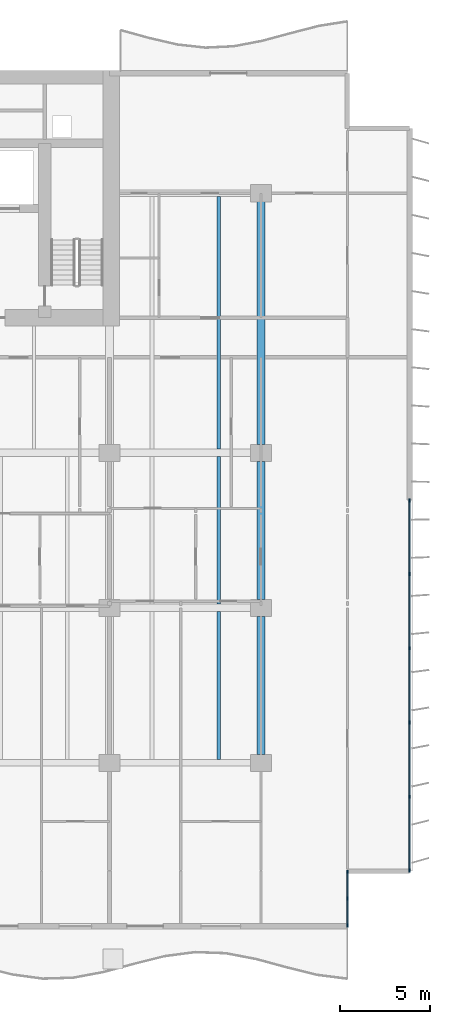
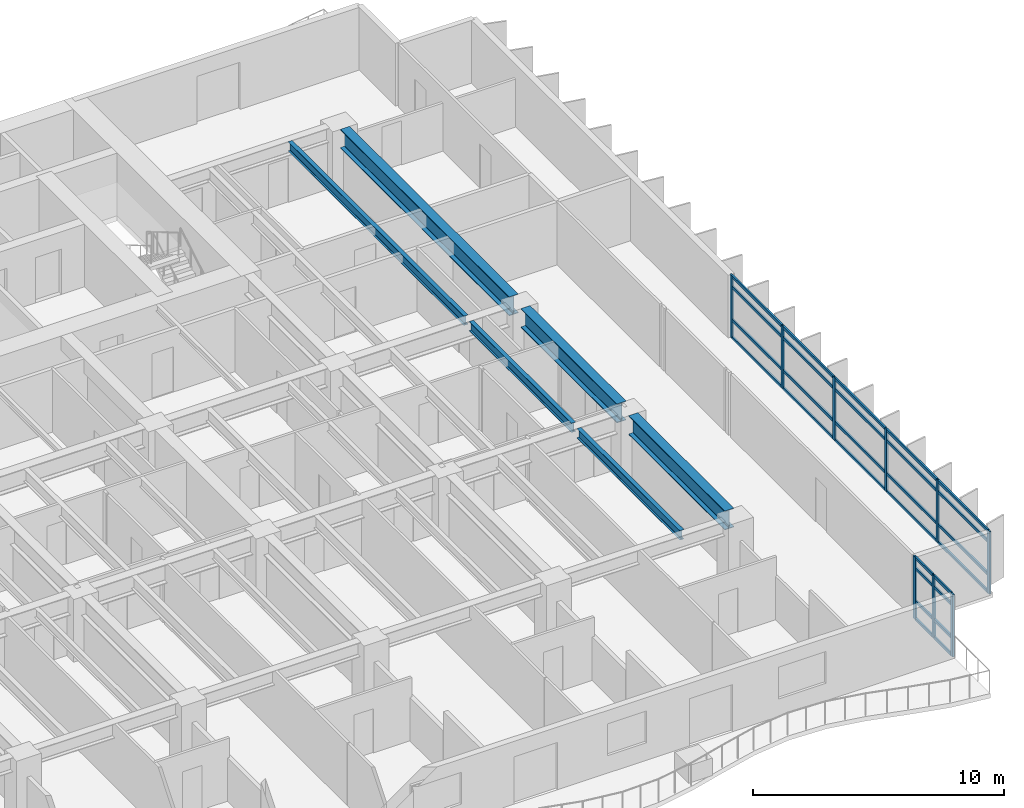
# One storey, part 4 of 18: 37 members, 6 beams, 2 elements without a shape of their own.
"""IFC4 building model written with IfcOpenShell, lengths in metres."""

from ifc_helpers import new_model, si_unit, direction, frame, origin, origin_2d, place, context, subcontext, project, spatial, rectangle, i_section, extrude, material, layer, layer_set, material_profile, profile_set, type_object, element, aggregate, save


model = new_model("IFC4")

# Units and contexts
model_context = context("Model", 3, precision=1e-05, world=origin(), true_north=direction((0.0, 1.0)))
body_context = subcontext(model_context, "Body", "Model", "MODEL_VIEW")
ifc_project = project(units=[si_unit("LENGTHUNIT", "METRE"), si_unit("AREAUNIT", "SQUARE_METRE"), si_unit("VOLUMEUNIT", "CUBIC_METRE"), si_unit("PLANEANGLEUNIT", "RADIAN"), si_unit("MASSUNIT", "GRAM", prefix="KILO")], contexts=[model_context])

# Site, building, storey
site_placement = place(None, origin())
site = spatial("IfcSite", under=ifc_project, at=site_placement, CompositionType="ELEMENT")
building_placement = place(site_placement, origin())
building = spatial("IfcBuilding", under=site, at=building_placement, Name="Caelmar Bay Residences", CompositionType="ELEMENT")
storey_placement = place(building_placement, frame((0.0, 0.0, 69.60009765625)))
storey = spatial("IfcBuildingStorey", under=building, at=storey_placement, Name="L18", CompositionType="ELEMENT", Elevation=69.60009765625)

# Beams
ifc_material_1 = material(Name="Steel ASTM A992 Grade 50", Category="steel")
ifc_material_profile_1 = material_profile(ifc_material_1, i_section(OverallWidth=0.422119140625, OverallDepth=0.925048828125, WebThickness=0.021240234375, FlangeThickness=0.03662109375, FilletRadius=0.020263671875, at=origin_2d()), Name="W36X262")
ifc_profile_set_1 = profile_set([ifc_material_profile_1], Name="Steel ASTM A992 Grade 50")
beam_type_1 = type_object("IfcBeamType", Name="BM-GRD-W36X262", PredefinedType="BEAM", material=ifc_profile_set_1)
beam_1_placement = place(storey_placement, frame((67.89990234375, 12.6650390625, 2.58740234375), z_axis=(0.0, 1.0, 0.0), x_axis=(-1.0, 0.0, 0.0)))
element("IfcBeam", 1, at=beam_1_placement, inside=storey, type_object=beam_type_1, Name="L18 North-South Girder X=67.90 (12.2-20.8)", PredefinedType="BEAM", context=body_context, shape_type="SweptSolid", body=[
    extrude(i_section(OverallWidth=0.422119140625, OverallDepth=0.925048828125, WebThickness=0.021240234375, FlangeThickness=0.03662109375, FilletRadius=0.020263671875, at=origin_2d()), origin(), (0.0, 0.0, 1.0), 7.669921875),
])
beam_2_placement = place(storey_placement, frame((67.89990234375, 21.264892578125, 2.58740234375), z_axis=(0.0, 1.0, 0.0), x_axis=(-1.0, 0.0, 0.0)))
element("IfcBeam", 2, at=beam_2_placement, inside=storey, type_object=beam_type_1, Name="L18 North-South Girder X=67.90 (20.8-29.4)", PredefinedType="BEAM", context=body_context, shape_type="SweptSolid", body=[
    extrude(i_section(OverallWidth=0.422119140625, OverallDepth=0.925048828125, WebThickness=0.021240234375, FlangeThickness=0.03662109375, FilletRadius=0.020263671875, at=origin_2d()), origin(), (0.0, 0.0, 1.0), 7.670166015625),
])
beam_3_placement = place(storey_placement, frame((67.89990234375, 29.864990234375, 2.58740234375), z_axis=(0.0, 1.0, 0.0), x_axis=(-1.0, 0.0, 0.0)))
element("IfcBeam", 3, at=beam_3_placement, inside=storey, type_object=beam_type_1, Name="L18 North-South Girder X=67.90 (29.4-43.8)", PredefinedType="BEAM", context=body_context, shape_type="SweptSolid", body=[
    extrude(i_section(OverallWidth=0.422119140625, OverallDepth=0.925048828125, WebThickness=0.021240234375, FlangeThickness=0.03662109375, FilletRadius=0.020263671875, at=origin_2d()), origin(), (0.0, 0.0, 1.0), 13.469970703125),
])
ifc_material_profile_2 = material_profile(ifc_material_1, i_section(OverallWidth=0.19091796875, OverallDepth=0.45703125, WebThickness=0.009033203125, FlangeThickness=0.014404296875, FilletRadius=0.01025390625, at=origin_2d()), Name="W18X50")
ifc_profile_set_2 = profile_set([ifc_material_profile_2], Name="Steel ASTM A992 Grade 50")
beam_type_2 = type_object("IfcBeamType", Name="BM-JST-W18X50", PredefinedType="JOIST", material=ifc_profile_set_2)
beam_4_placement = place(storey_placement, frame((65.548095703125, 12.3779296875, 2.8212890625), z_axis=(0.0, 1.0, 0.0), x_axis=(-1.0, 0.0, 0.0)))
element("IfcBeam", 4, at=beam_4_placement, inside=storey, type_object=beam_type_2, Name="L18 Composite Floor Joist 14", PredefinedType="JOIST", context=body_context, shape_type="SweptSolid", body=[
    extrude(i_section(OverallWidth=0.19091796875, OverallDepth=0.45703125, WebThickness=0.009033203125, FlangeThickness=0.014404296875, FilletRadius=0.01025390625, at=origin_2d()), origin(), (0.0, 0.0, 1.0), 8.211181640625),
])
beam_5_placement = place(storey_placement, frame((65.548095703125, 21.010986328125, 2.8212890625), z_axis=(0.0, 1.0, 0.0), x_axis=(-1.0, 0.0, 0.0)))
element("IfcBeam", 5, at=beam_5_placement, inside=storey, type_object=beam_type_2, Name="L18 Composite Floor Joist 28", PredefinedType="JOIST", context=body_context, shape_type="SweptSolid", body=[
    extrude(i_section(OverallWidth=0.19091796875, OverallDepth=0.45703125, WebThickness=0.009033203125, FlangeThickness=0.014404296875, FilletRadius=0.01025390625, at=origin_2d()), origin(), (0.0, 0.0, 1.0), 8.177978515625),
])
beam_6_placement = place(storey_placement, frame((65.548095703125, 29.611083984375, 2.8212890625), z_axis=(0.0, 1.0, 0.0), x_axis=(-1.0, 0.0, 0.0)))
element("IfcBeam", 6, at=beam_6_placement, inside=storey, type_object=beam_type_2, Name="L18 Composite Floor Joist 37", PredefinedType="JOIST", context=body_context, shape_type="SweptSolid", body=[
    extrude(i_section(OverallWidth=0.19091796875, OverallDepth=0.45703125, WebThickness=0.009033203125, FlangeThickness=0.014404296875, FilletRadius=0.01025390625, at=origin_2d()), origin(), (0.0, 0.0, 1.0), 14.010986328125),
])

# Curtain wall, members
ifc_material_2 = material(Name="Anodised bronze aluminium 6063-T6 and laminated glass", Category="aluminium")
ifc_layer_1 = layer(ifc_material_2, 0.179931640625)
ifc_layer_set_1 = layer_set([ifc_layer_1], Name="Anodised bronze aluminium 6063-T6 and laminated glass")
curtain_wall_type_1 = type_object("IfcCurtainWallType", Name="CW6-NTC", PredefinedType="NOTDEFINED", material=ifc_layer_set_1)
curtain_wall_1_placement = place(storey_placement, origin())
curtain_wall_1 = element("IfcCurtainWall", 7, at=curtain_wall_1_placement, inside=storey, type_object=curtain_wall_type_1, Name="CW6 curtain wall L18", PredefinedType="NOTDEFINED")
ifc_material_3 = material(Name="Anodised bronze aluminium 6063-T6", Category="aluminium")
ifc_material_profile_3 = material_profile(ifc_material_3, rectangle(XDim=0.080078125, YDim=0.179931640625, at=origin_2d()), Name="CWM-80X180")
ifc_profile_set_3 = profile_set([ifc_material_profile_3], Name="Anodised bronze aluminium 6063-T6")
member_type_1 = type_object("IfcMemberType", Name="CWM-180", PredefinedType="MULLION", material=ifc_profile_set_3)
member_1_placement = place(storey_placement, frame((72.699951171875, 3.18994140625, 0.0), z_axis=(0.0, 0.0, 1.0), x_axis=(-1.0, 0.0, 0.0)))
member_1 = element("IfcMember", 8, at=member_1_placement, type_object=member_type_1, Name="CW6 mullion 1", PredefinedType="MULLION", context=body_context, shape_type="SweptSolid", body=[
    extrude(rectangle(XDim=0.080078125, YDim=0.179931640625, at=origin_2d()), origin(), (0.0, 0.0, 1.0), 3.0498046875),
])
member_2_placement = place(storey_placement, frame((72.699951171875, 4.675048828125, 0.0), z_axis=(0.0, 0.0, 1.0), x_axis=(-1.0, 0.0, 0.0)))
member_2 = element("IfcMember", 9, at=member_2_placement, type_object=member_type_1, Name="CW6 mullion 2", PredefinedType="MULLION", context=body_context, shape_type="SweptSolid", body=[
    extrude(rectangle(XDim=0.080078125, YDim=0.179931640625, at=origin_2d()), origin(), (0.0, 0.0, 1.0), 3.0498046875),
])
member_3_placement = place(storey_placement, frame((72.699951171875, 6.159912109375, 0.0), z_axis=(0.0, 0.0, 1.0), x_axis=(-1.0, 0.0, 0.0)))
member_3 = element("IfcMember", 10, at=member_3_placement, type_object=member_type_1, Name="CW6 mullion 3", PredefinedType="MULLION", context=body_context, shape_type="SweptSolid", body=[
    extrude(rectangle(XDim=0.080078125, YDim=0.179931640625, at=origin_2d()), origin(), (0.0, 0.0, 1.0), 3.0498046875),
])

ifc_layer_2 = layer(ifc_material_2, 0.179931640625)
ifc_layer_set_2 = layer_set([ifc_layer_2], Name="Anodised bronze aluminium 6063-T6 and laminated glass")
curtain_wall_type_2 = type_object("IfcCurtainWallType", Name="CW2-Z1", PredefinedType="NOTDEFINED", material=ifc_layer_set_2)
curtain_wall_2_placement = place(storey_placement, origin())
curtain_wall_2 = element("IfcCurtainWall", 11, at=curtain_wall_2_placement, inside=storey, type_object=curtain_wall_type_2, Name="CW2 curtain wall L18", PredefinedType="NOTDEFINED")
member_4_placement = place(storey_placement, frame((76.14990234375, 26.760009765625, 0.0), z_axis=(0.0, 0.0, 1.0), x_axis=(1.0, 0.0, 0.0)))
member_4 = element("IfcMember", 12, at=member_4_placement, type_object=member_type_1, Name="CW2 mullion 1", PredefinedType="MULLION", context=body_context, shape_type="SweptSolid", body=[
    extrude(rectangle(XDim=0.080078125, YDim=0.179931640625, at=origin_2d()), origin(), (0.0, 0.0, 1.0), 3.0498046875),
])
member_5_placement = place(storey_placement, frame((76.14990234375, 22.679931640625, 0.0), z_axis=(0.0, 0.0, 1.0), x_axis=(1.0, 0.0, 0.0)))
member_5 = element("IfcMember", 13, at=member_5_placement, type_object=member_type_1, Name="CW2 mullion 2", PredefinedType="MULLION", context=body_context, shape_type="SweptSolid", body=[
    extrude(rectangle(XDim=0.080078125, YDim=0.179931640625, at=origin_2d()), origin(), (0.0, 0.0, 1.0), 3.0498046875),
])
member_6_placement = place(storey_placement, frame((76.14990234375, 18.56005859375, 0.0), z_axis=(0.0, 0.0, 1.0), x_axis=(1.0, 0.0, 0.0)))
member_6 = element("IfcMember", 14, at=member_6_placement, type_object=member_type_1, Name="CW2 mullion 3", PredefinedType="MULLION", context=body_context, shape_type="SweptSolid", body=[
    extrude(rectangle(XDim=0.080078125, YDim=0.179931640625, at=origin_2d()), origin(), (0.0, 0.0, 1.0), 3.0498046875),
])
member_7_placement = place(storey_placement, frame((76.14990234375, 14.43994140625, 0.0), z_axis=(0.0, 0.0, 1.0), x_axis=(1.0, 0.0, 0.0)))
member_7 = element("IfcMember", 15, at=member_7_placement, type_object=member_type_1, Name="CW2 mullion 4", PredefinedType="MULLION", context=body_context, shape_type="SweptSolid", body=[
    extrude(rectangle(XDim=0.080078125, YDim=0.179931640625, at=origin_2d()), origin(), (0.0, 0.0, 1.0), 3.0498046875),
])
member_8_placement = place(storey_placement, frame((76.14990234375, 10.320068359375, 0.0), z_axis=(0.0, 0.0, 1.0), x_axis=(1.0, 0.0, 0.0)))
member_8 = element("IfcMember", 16, at=member_8_placement, type_object=member_type_1, Name="CW2 mullion 5", PredefinedType="MULLION", context=body_context, shape_type="SweptSolid", body=[
    extrude(rectangle(XDim=0.080078125, YDim=0.179931640625, at=origin_2d()), origin(), (0.0, 0.0, 1.0), 3.0498046875),
])
member_9_placement = place(storey_placement, frame((76.14990234375, 6.239990234375, 0.0), z_axis=(0.0, 0.0, 1.0), x_axis=(1.0, 0.0, 0.0)))
member_9 = element("IfcMember", 17, at=member_9_placement, type_object=member_type_1, Name="CW2 mullion 6", PredefinedType="MULLION", context=body_context, shape_type="SweptSolid", body=[
    extrude(rectangle(XDim=0.080078125, YDim=0.179931640625, at=origin_2d()), origin(), (0.0, 0.0, 1.0), 3.0498046875),
])

# Member
ifc_material_profile_4 = material_profile(ifc_material_3, rectangle(XDim=0.080078125, YDim=0.139892578125, at=origin_2d()), Name="CWT-80X140")
ifc_profile_set_4 = profile_set([ifc_material_profile_4], Name="Anodised bronze aluminium 6063-T6")
member_type_2 = type_object("IfcMemberType", Name="CWT-140", PredefinedType="NOTDEFINED", material=ifc_profile_set_4)
member_10_placement = place(storey_placement, frame((72.699951171875, 3.22998046875, 0.039794921875), z_axis=(0.0, 1.0, 0.0), x_axis=(-1.0, 0.0, 0.0)))
member_10 = element("IfcMember", 18, at=member_10_placement, type_object=member_type_2, Name="CW6 transom 1.1", ObjectType="TRANSOM", PredefinedType="USERDEFINED", context=body_context, shape_type="SweptSolid", body=[
    extrude(rectangle(XDim=0.080078125, YDim=0.139892578125, at=origin_2d()), origin(), (0.0, 0.0, 1.0), 1.405029296875),
])

member_11_placement = place(storey_placement, frame((72.699951171875, 3.22998046875, 0.89990234375), z_axis=(0.0, 1.0, 0.0), x_axis=(-1.0, 0.0, 0.0)))
member_11 = element("IfcMember", 19, at=member_11_placement, type_object=member_type_2, Name="CW6 transom 1.2", ObjectType="TRANSOM", PredefinedType="USERDEFINED", context=body_context, shape_type="SweptSolid", body=[
    extrude(rectangle(XDim=0.080078125, YDim=0.139892578125, at=origin_2d()), origin(), (0.0, 0.0, 1.0), 1.405029296875),
])

member_12_placement = place(storey_placement, frame((72.699951171875, 3.22998046875, 2.5), z_axis=(0.0, 1.0, 0.0), x_axis=(-1.0, 0.0, 0.0)))
member_12 = element("IfcMember", 20, at=member_12_placement, type_object=member_type_2, Name="CW6 transom 1.3", ObjectType="TRANSOM", PredefinedType="USERDEFINED", context=body_context, shape_type="SweptSolid", body=[
    extrude(rectangle(XDim=0.080078125, YDim=0.139892578125, at=origin_2d()), origin(), (0.0, 0.0, 1.0), 1.405029296875),
])

member_13_placement = place(storey_placement, frame((72.699951171875, 3.22998046875, 3.010009765625), z_axis=(0.0, 1.0, 0.0), x_axis=(-1.0, 0.0, 0.0)))
member_13 = element("IfcMember", 21, at=member_13_placement, type_object=member_type_2, Name="CW6 transom 1.4", ObjectType="TRANSOM", PredefinedType="USERDEFINED", context=body_context, shape_type="SweptSolid", body=[
    extrude(rectangle(XDim=0.080078125, YDim=0.139892578125, at=origin_2d()), origin(), (0.0, 0.0, 1.0), 1.405029296875),
])

member_14_placement = place(storey_placement, frame((72.699951171875, 4.715087890625, 0.039794921875), z_axis=(0.0, 1.0, 0.0), x_axis=(-1.0, 0.0, 0.0)))
member_14 = element("IfcMember", 22, at=member_14_placement, type_object=member_type_2, Name="CW6 transom 2.1", ObjectType="TRANSOM", PredefinedType="USERDEFINED", context=body_context, shape_type="SweptSolid", body=[
    extrude(rectangle(XDim=0.080078125, YDim=0.139892578125, at=origin_2d()), origin(), (0.0, 0.0, 1.0), 1.405029296875),
])

member_15_placement = place(storey_placement, frame((72.699951171875, 4.715087890625, 0.89990234375), z_axis=(0.0, 1.0, 0.0), x_axis=(-1.0, 0.0, 0.0)))
member_15 = element("IfcMember", 23, at=member_15_placement, type_object=member_type_2, Name="CW6 transom 2.2", ObjectType="TRANSOM", PredefinedType="USERDEFINED", context=body_context, shape_type="SweptSolid", body=[
    extrude(rectangle(XDim=0.080078125, YDim=0.139892578125, at=origin_2d()), origin(), (0.0, 0.0, 1.0), 1.405029296875),
])

member_16_placement = place(storey_placement, frame((72.699951171875, 4.715087890625, 2.5), z_axis=(0.0, 1.0, 0.0), x_axis=(-1.0, 0.0, 0.0)))
member_16 = element("IfcMember", 24, at=member_16_placement, type_object=member_type_2, Name="CW6 transom 2.3", ObjectType="TRANSOM", PredefinedType="USERDEFINED", context=body_context, shape_type="SweptSolid", body=[
    extrude(rectangle(XDim=0.080078125, YDim=0.139892578125, at=origin_2d()), origin(), (0.0, 0.0, 1.0), 1.405029296875),
])

member_17_placement = place(storey_placement, frame((72.699951171875, 4.715087890625, 3.010009765625), z_axis=(0.0, 1.0, 0.0), x_axis=(-1.0, 0.0, 0.0)))
member_17 = element("IfcMember", 25, at=member_17_placement, type_object=member_type_2, Name="CW6 transom 2.4", ObjectType="TRANSOM", PredefinedType="USERDEFINED", context=body_context, shape_type="SweptSolid", body=[
    extrude(rectangle(XDim=0.080078125, YDim=0.139892578125, at=origin_2d()), origin(), (0.0, 0.0, 1.0), 1.405029296875),
])

aggregate(curtain_wall_1, [member_1, member_2, member_3, member_10, member_11, member_12, member_13, member_14, member_15, member_16, member_17])

member_18_placement = place(storey_placement, frame((76.14990234375, 26.719970703125, 0.039794921875), z_axis=(0.0, -1.0, 0.0), x_axis=(1.0, 0.0, 0.0)))
member_18 = element("IfcMember", 26, at=member_18_placement, type_object=member_type_2, Name="CW2 transom 1.1", ObjectType="TRANSOM", PredefinedType="USERDEFINED", context=body_context, shape_type="SweptSolid", body=[
    extrude(rectangle(XDim=0.080078125, YDim=0.139892578125, at=origin_2d()), origin(), (0.0, 0.0, 1.0), 4.0),
])

member_19_placement = place(storey_placement, frame((76.14990234375, 26.719970703125, 0.89990234375), z_axis=(0.0, -1.0, 0.0), x_axis=(1.0, 0.0, 0.0)))
member_19 = element("IfcMember", 27, at=member_19_placement, type_object=member_type_2, Name="CW2 transom 1.2", ObjectType="TRANSOM", PredefinedType="USERDEFINED", context=body_context, shape_type="SweptSolid", body=[
    extrude(rectangle(XDim=0.080078125, YDim=0.139892578125, at=origin_2d()), origin(), (0.0, 0.0, 1.0), 4.0),
])

member_20_placement = place(storey_placement, frame((76.14990234375, 26.719970703125, 2.5), z_axis=(0.0, -1.0, 0.0), x_axis=(1.0, 0.0, 0.0)))
member_20 = element("IfcMember", 28, at=member_20_placement, type_object=member_type_2, Name="CW2 transom 1.3", ObjectType="TRANSOM", PredefinedType="USERDEFINED", context=body_context, shape_type="SweptSolid", body=[
    extrude(rectangle(XDim=0.080078125, YDim=0.139892578125, at=origin_2d()), origin(), (0.0, 0.0, 1.0), 4.0),
])

member_21_placement = place(storey_placement, frame((76.14990234375, 26.719970703125, 3.010009765625), z_axis=(0.0, -1.0, 0.0), x_axis=(1.0, 0.0, 0.0)))
member_21 = element("IfcMember", 29, at=member_21_placement, type_object=member_type_2, Name="CW2 transom 1.4", ObjectType="TRANSOM", PredefinedType="USERDEFINED", context=body_context, shape_type="SweptSolid", body=[
    extrude(rectangle(XDim=0.080078125, YDim=0.139892578125, at=origin_2d()), origin(), (0.0, 0.0, 1.0), 4.0),
])

member_22_placement = place(storey_placement, frame((76.14990234375, 22.639892578125, 0.039794921875), z_axis=(0.0, -1.0, 0.0), x_axis=(1.0, 0.0, 0.0)))
member_22 = element("IfcMember", 30, at=member_22_placement, type_object=member_type_2, Name="CW2 transom 2.1", ObjectType="TRANSOM", PredefinedType="USERDEFINED", context=body_context, shape_type="SweptSolid", body=[
    extrude(rectangle(XDim=0.080078125, YDim=0.139892578125, at=origin_2d()), origin(), (0.0, 0.0, 1.0), 4.039794921875),
])

member_23_placement = place(storey_placement, frame((76.14990234375, 22.639892578125, 0.89990234375), z_axis=(0.0, -1.0, 0.0), x_axis=(1.0, 0.0, 0.0)))
member_23 = element("IfcMember", 31, at=member_23_placement, type_object=member_type_2, Name="CW2 transom 2.2", ObjectType="TRANSOM", PredefinedType="USERDEFINED", context=body_context, shape_type="SweptSolid", body=[
    extrude(rectangle(XDim=0.080078125, YDim=0.139892578125, at=origin_2d()), origin(), (0.0, 0.0, 1.0), 4.039794921875),
])

member_24_placement = place(storey_placement, frame((76.14990234375, 22.639892578125, 2.5), z_axis=(0.0, -1.0, 0.0), x_axis=(1.0, 0.0, 0.0)))
member_24 = element("IfcMember", 32, at=member_24_placement, type_object=member_type_2, Name="CW2 transom 2.3", ObjectType="TRANSOM", PredefinedType="USERDEFINED", context=body_context, shape_type="SweptSolid", body=[
    extrude(rectangle(XDim=0.080078125, YDim=0.139892578125, at=origin_2d()), origin(), (0.0, 0.0, 1.0), 4.039794921875),
])

member_25_placement = place(storey_placement, frame((76.14990234375, 22.639892578125, 3.010009765625), z_axis=(0.0, -1.0, 0.0), x_axis=(1.0, 0.0, 0.0)))
member_25 = element("IfcMember", 33, at=member_25_placement, type_object=member_type_2, Name="CW2 transom 2.4", ObjectType="TRANSOM", PredefinedType="USERDEFINED", context=body_context, shape_type="SweptSolid", body=[
    extrude(rectangle(XDim=0.080078125, YDim=0.139892578125, at=origin_2d()), origin(), (0.0, 0.0, 1.0), 4.039794921875),
])

member_26_placement = place(storey_placement, frame((76.14990234375, 18.52001953125, 0.039794921875), z_axis=(0.0, -1.0, 0.0), x_axis=(1.0, 0.0, 0.0)))
member_26 = element("IfcMember", 34, at=member_26_placement, type_object=member_type_2, Name="CW2 transom 3.1", ObjectType="TRANSOM", PredefinedType="USERDEFINED", context=body_context, shape_type="SweptSolid", body=[
    extrude(rectangle(XDim=0.080078125, YDim=0.139892578125, at=origin_2d()), origin(), (0.0, 0.0, 1.0), 4.0400390625),
])

member_27_placement = place(storey_placement, frame((76.14990234375, 18.52001953125, 0.89990234375), z_axis=(0.0, -1.0, 0.0), x_axis=(1.0, 0.0, 0.0)))
member_27 = element("IfcMember", 35, at=member_27_placement, type_object=member_type_2, Name="CW2 transom 3.2", ObjectType="TRANSOM", PredefinedType="USERDEFINED", context=body_context, shape_type="SweptSolid", body=[
    extrude(rectangle(XDim=0.080078125, YDim=0.139892578125, at=origin_2d()), origin(), (0.0, 0.0, 1.0), 4.0400390625),
])

member_28_placement = place(storey_placement, frame((76.14990234375, 18.52001953125, 2.5), z_axis=(0.0, -1.0, 0.0), x_axis=(1.0, 0.0, 0.0)))
member_28 = element("IfcMember", 36, at=member_28_placement, type_object=member_type_2, Name="CW2 transom 3.3", ObjectType="TRANSOM", PredefinedType="USERDEFINED", context=body_context, shape_type="SweptSolid", body=[
    extrude(rectangle(XDim=0.080078125, YDim=0.139892578125, at=origin_2d()), origin(), (0.0, 0.0, 1.0), 4.0400390625),
])

member_29_placement = place(storey_placement, frame((76.14990234375, 18.52001953125, 3.010009765625), z_axis=(0.0, -1.0, 0.0), x_axis=(1.0, 0.0, 0.0)))
member_29 = element("IfcMember", 37, at=member_29_placement, type_object=member_type_2, Name="CW2 transom 3.4", ObjectType="TRANSOM", PredefinedType="USERDEFINED", context=body_context, shape_type="SweptSolid", body=[
    extrude(rectangle(XDim=0.080078125, YDim=0.139892578125, at=origin_2d()), origin(), (0.0, 0.0, 1.0), 4.0400390625),
])

member_30_placement = place(storey_placement, frame((76.14990234375, 14.39990234375, 0.039794921875), z_axis=(0.0, -1.0, 0.0), x_axis=(1.0, 0.0, 0.0)))
member_30 = element("IfcMember", 38, at=member_30_placement, type_object=member_type_2, Name="CW2 transom 4.1", ObjectType="TRANSOM", PredefinedType="USERDEFINED", context=body_context, shape_type="SweptSolid", body=[
    extrude(rectangle(XDim=0.080078125, YDim=0.139892578125, at=origin_2d()), origin(), (0.0, 0.0, 1.0), 4.039794921875),
])

member_31_placement = place(storey_placement, frame((76.14990234375, 14.39990234375, 0.89990234375), z_axis=(0.0, -1.0, 0.0), x_axis=(1.0, 0.0, 0.0)))
member_31 = element("IfcMember", 39, at=member_31_placement, type_object=member_type_2, Name="CW2 transom 4.2", ObjectType="TRANSOM", PredefinedType="USERDEFINED", context=body_context, shape_type="SweptSolid", body=[
    extrude(rectangle(XDim=0.080078125, YDim=0.139892578125, at=origin_2d()), origin(), (0.0, 0.0, 1.0), 4.039794921875),
])

member_32_placement = place(storey_placement, frame((76.14990234375, 14.39990234375, 2.5), z_axis=(0.0, -1.0, 0.0), x_axis=(1.0, 0.0, 0.0)))
member_32 = element("IfcMember", 40, at=member_32_placement, type_object=member_type_2, Name="CW2 transom 4.3", ObjectType="TRANSOM", PredefinedType="USERDEFINED", context=body_context, shape_type="SweptSolid", body=[
    extrude(rectangle(XDim=0.080078125, YDim=0.139892578125, at=origin_2d()), origin(), (0.0, 0.0, 1.0), 4.039794921875),
])

member_33_placement = place(storey_placement, frame((76.14990234375, 14.39990234375, 3.010009765625), z_axis=(0.0, -1.0, 0.0), x_axis=(1.0, 0.0, 0.0)))
member_33 = element("IfcMember", 41, at=member_33_placement, type_object=member_type_2, Name="CW2 transom 4.4", ObjectType="TRANSOM", PredefinedType="USERDEFINED", context=body_context, shape_type="SweptSolid", body=[
    extrude(rectangle(XDim=0.080078125, YDim=0.139892578125, at=origin_2d()), origin(), (0.0, 0.0, 1.0), 4.039794921875),
])

member_34_placement = place(storey_placement, frame((76.14990234375, 10.280029296875, 0.039794921875), z_axis=(0.0, -1.0, 0.0), x_axis=(1.0, 0.0, 0.0)))
member_34 = element("IfcMember", 42, at=member_34_placement, type_object=member_type_2, Name="CW2 transom 5.1", ObjectType="TRANSOM", PredefinedType="USERDEFINED", context=body_context, shape_type="SweptSolid", body=[
    extrude(rectangle(XDim=0.080078125, YDim=0.139892578125, at=origin_2d()), origin(), (0.0, 0.0, 1.0), 4.0),
])

member_35_placement = place(storey_placement, frame((76.14990234375, 10.280029296875, 0.89990234375), z_axis=(0.0, -1.0, 0.0), x_axis=(1.0, 0.0, 0.0)))
member_35 = element("IfcMember", 43, at=member_35_placement, type_object=member_type_2, Name="CW2 transom 5.2", ObjectType="TRANSOM", PredefinedType="USERDEFINED", context=body_context, shape_type="SweptSolid", body=[
    extrude(rectangle(XDim=0.080078125, YDim=0.139892578125, at=origin_2d()), origin(), (0.0, 0.0, 1.0), 4.0),
])

member_36_placement = place(storey_placement, frame((76.14990234375, 10.280029296875, 2.5), z_axis=(0.0, -1.0, 0.0), x_axis=(1.0, 0.0, 0.0)))
member_36 = element("IfcMember", 44, at=member_36_placement, type_object=member_type_2, Name="CW2 transom 5.3", ObjectType="TRANSOM", PredefinedType="USERDEFINED", context=body_context, shape_type="SweptSolid", body=[
    extrude(rectangle(XDim=0.080078125, YDim=0.139892578125, at=origin_2d()), origin(), (0.0, 0.0, 1.0), 4.0),
])

member_37_placement = place(storey_placement, frame((76.14990234375, 10.280029296875, 3.010009765625), z_axis=(0.0, -1.0, 0.0), x_axis=(1.0, 0.0, 0.0)))
member_37 = element("IfcMember", 45, at=member_37_placement, type_object=member_type_2, Name="CW2 transom 5.4", ObjectType="TRANSOM", PredefinedType="USERDEFINED", context=body_context, shape_type="SweptSolid", body=[
    extrude(rectangle(XDim=0.080078125, YDim=0.139892578125, at=origin_2d()), origin(), (0.0, 0.0, 1.0), 4.0),
])

aggregate(curtain_wall_2, [member_4, member_5, member_6, member_7, member_8, member_9, member_18, member_19, member_20, member_21, member_22, member_23, member_24, member_25, member_26, member_27, member_28, member_29, member_30, member_31, member_32, member_33, member_34, member_35, member_36, member_37])

save(model, "model.ifc")
